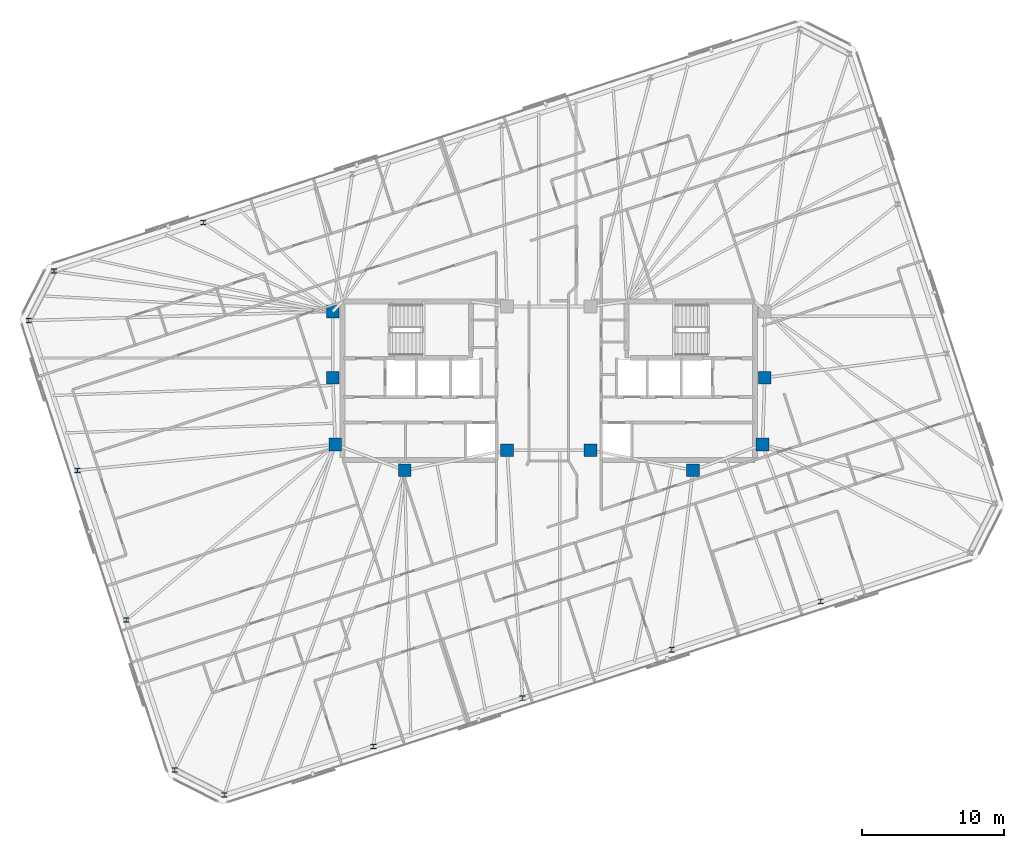
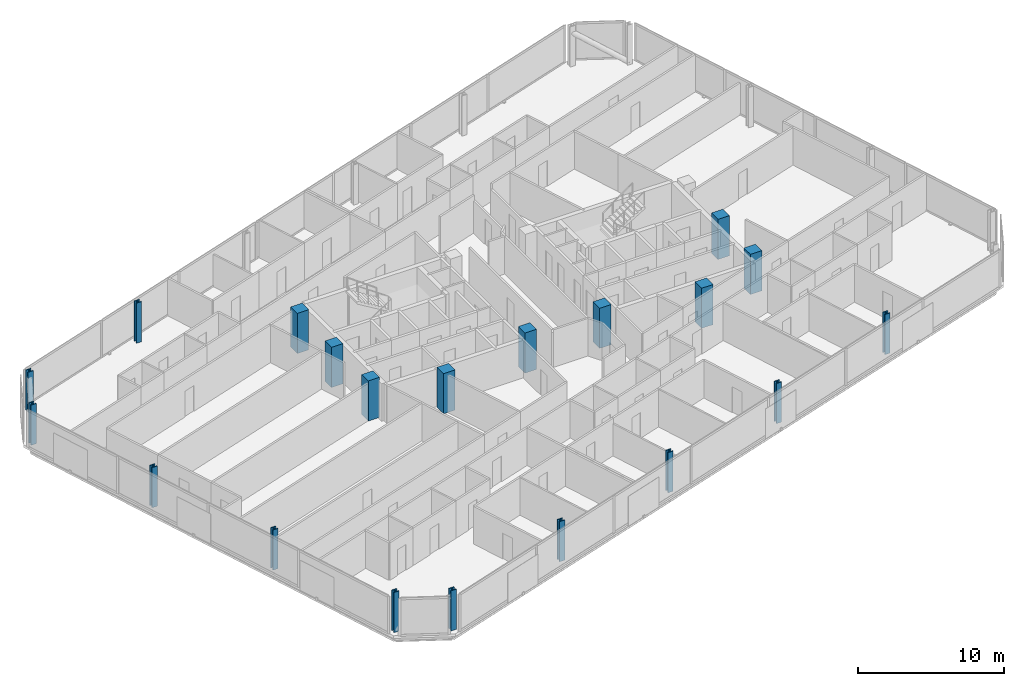
# One storey, part 1 of 20: 20 columns.
"""IFC4 building model written with IfcOpenShell, lengths in metres."""

from ifc_helpers import new_model, si_unit, direction, frame, origin, origin_2d, place, context, subcontext, project, spatial, rectangle, i_section, extrude, material, material_profile, profile_set, type_object, element, save


model = new_model("IFC4")

# Units and contexts
model_context = context("Model", 3, precision=1e-05, world=origin(), true_north=direction((0.0, 1.0)))
body_context = subcontext(model_context, "Body", "Model", "MODEL_VIEW")
ifc_project = project(units=[si_unit("LENGTHUNIT", "METRE"), si_unit("AREAUNIT", "SQUARE_METRE"), si_unit("VOLUMEUNIT", "CUBIC_METRE"), si_unit("PLANEANGLEUNIT", "RADIAN"), si_unit("MASSUNIT", "GRAM", prefix="KILO")], contexts=[model_context])

# Site, building, storey
site_placement = place(None, origin())
site = spatial("IfcSite", under=ifc_project, at=site_placement, CompositionType="ELEMENT")
building_placement = place(site_placement, origin())
building = spatial("IfcBuilding", under=site, at=building_placement, Name="Menara Jurai Vektor", CompositionType="ELEMENT")
storey_placement = place(building_placement, frame((0.0, 0.0, 247.75)))
storey = spatial("IfcBuildingStorey", under=building, at=storey_placement, Name="L66", CompositionType="ELEMENT", Elevation=247.75)

# Columns
ifc_material_1 = material(Name="Concrete C50/60", Category="concrete")
ifc_material_profile_1 = material_profile(ifc_material_1, rectangle(XDim=0.89990234375, YDim=0.89990234375, at=origin_2d()), Name="RC 900x900")
ifc_profile_set_1 = profile_set([ifc_material_profile_1], Name="Concrete C50/60")
column_type_1 = type_object("IfcColumnType", Name="STR-COL-RC900", PredefinedType="COLUMN", material=ifc_profile_set_1)
for number, where, z_axis, x_axis, name in (
    (1, (-15.25, 4.89990234375, 0.0), (0.0, 0.0, 1.0), (1.0, 0.0, 0.0), "Core Spine Column CW-NW L66"),
    (2, (-15.25, 0.219970703125, 0.0), (0.0, 0.0, 1.0), (1.0, 0.0, 0.0), "Core Spine Column CW-WM L66"),
    (3, (-15.080078125, -4.5, 0.0), (0.0, 0.0, 1.0), (1.0, 0.0, 0.0), "Core Spine Column CW-SW L66"),
    (4, (-10.179931640625, -6.320068359375, 0.0), (0.0, 0.0, 1.0), (1.0, 0.0, 0.0), "Core Spine Column CW-SM L66"),
    (5, (-2.949951171875, -4.89990234375, 0.0), (0.0, 0.0, 1.0), (1.0, 0.0, 0.0), "Core Spine Column CW-SE L66"),
    (6, (15.25, 0.219970703125, 0.0), (0.0, 0.0, 1.0), (1.0, 0.0, 0.0), "Core Spine Column CE-EM L66"),
    (7, (15.080078125, -4.5, 0.0), (0.0, 0.0, 1.0), (1.0, 0.0, 0.0), "Core Spine Column CE-SE L66"),
    (8, (10.179931640625, -6.320068359375, 0.0), (0.0, 0.0, 1.0), (1.0, 0.0, 0.0), "Core Spine Column CE-SM L66"),
    (9, (2.949951171875, -4.89990234375, 0.0), (0.0, 0.0, 1.0), (1.0, 0.0, 0.0), "Core Spine Column CE-SW L66"),
):
    element("IfcColumn", number, at=place(storey_placement, frame(where, z_axis=z_axis, x_axis=x_axis)), inside=storey, type_object=column_type_1, Name=name, PredefinedType="COLUMN", context=body_context, shape_type="SweptSolid", body=[
        extrude(rectangle(XDim=0.89990234375, YDim=0.89990234375, at=origin_2d()), origin(), (0.0, 0.0, 1.0), 3.35009765625),
    ])
ifc_material_2 = material(Name="Steel S460", Category="steel")
ifc_material_profile_2 = material_profile(ifc_material_2, i_section(OverallWidth=0.405029296875, OverallDepth=0.35498046875, WebThickness=0.0419921875, FlangeThickness=0.068115234375, FilletRadius=0.014892578125, at=origin_2d()), Name="HD 400x551")
ifc_profile_set_2 = profile_set([ifc_material_profile_2], Name="Steel S460")
column_type_2 = type_object("IfcColumnType", Name="STR-EXO-BLK4", PredefinedType="COLUMN", material=ifc_profile_set_2)
for number, where, z_axis, x_axis, name in (
    (10, (-22.912841796875, -29.2509765625, 0.0), (0.0, 0.0, 1.0), (1.0, 0.0, 0.0), "Exoskeleton Column BLK4-S1 L66"),
    (11, (-12.383544921875, -25.829833984375, 0.0), (0.0, 0.0, 1.0), (1.0, 0.0, 0.0), "Exoskeleton Column BLK4-S2 L66"),
    (12, (-1.854248046875, -22.40869140625, 0.0), (0.0, 0.0, 1.0), (1.0, 0.0, 0.0), "Exoskeleton Column BLK4-S3 L66"),
    (13, (8.675048828125, -18.987548828125, 0.0), (0.0, 0.0, 1.0), (1.0, 0.0, 0.0), "Exoskeleton Column BLK4-S4 L66"),
    (14, (19.204345703125, -15.56640625, 0.0), (0.0, 0.0, 1.0), (1.0, 0.0, 0.0), "Exoskeleton Column BLK4-S5 L66"),
    (15, (-24.404296875, 11.166259765625, 0.0), (0.0, 0.0, 1.0), (1.0, 0.0, 0.0), "Exoskeleton Column BLK4-N5 L66"),
    (16, (-34.93359375, 7.7451171875, 0.0), (0.0, 0.0, 1.0), (1.0, 0.0, 0.0), "Exoskeleton Column BLK4-N6 L66"),
    (17, (-36.71337890625, 4.251953125, 0.0), (0.0, 0.0, 1.0), (1.0, 0.0, 0.0), "Exoskeleton Column BLK4-W1 L66"),
    (18, (-33.277587890625, -6.322265625, 0.0), (0.0, 0.0, 1.0), (1.0, 0.0, 0.0), "Exoskeleton Column BLK4-W2 L66"),
    (19, (-29.841796875, -16.896728515625, 0.0), (0.0, 0.0, 1.0), (1.0, 0.0, 0.0), "Exoskeleton Column BLK4-W3 L66"),
    (20, (-26.406005859375, -27.47119140625, 0.0), (0.0, 0.0, 1.0), (1.0, 0.0, 0.0), "Exoskeleton Column BLK4-W4 L66"),
):
    element("IfcColumn", number, at=place(storey_placement, frame(where, z_axis=z_axis, x_axis=x_axis)), inside=storey, type_object=column_type_2, Name=name, PredefinedType="COLUMN", context=body_context, shape_type="SweptSolid", body=[
        extrude(i_section(OverallWidth=0.405029296875, OverallDepth=0.35498046875, WebThickness=0.0419921875, FlangeThickness=0.068115234375, FilletRadius=0.014892578125, at=origin_2d()), origin(), (0.0, 0.0, 1.0), 3.35009765625),
    ])

save(model, "model.ifc")
